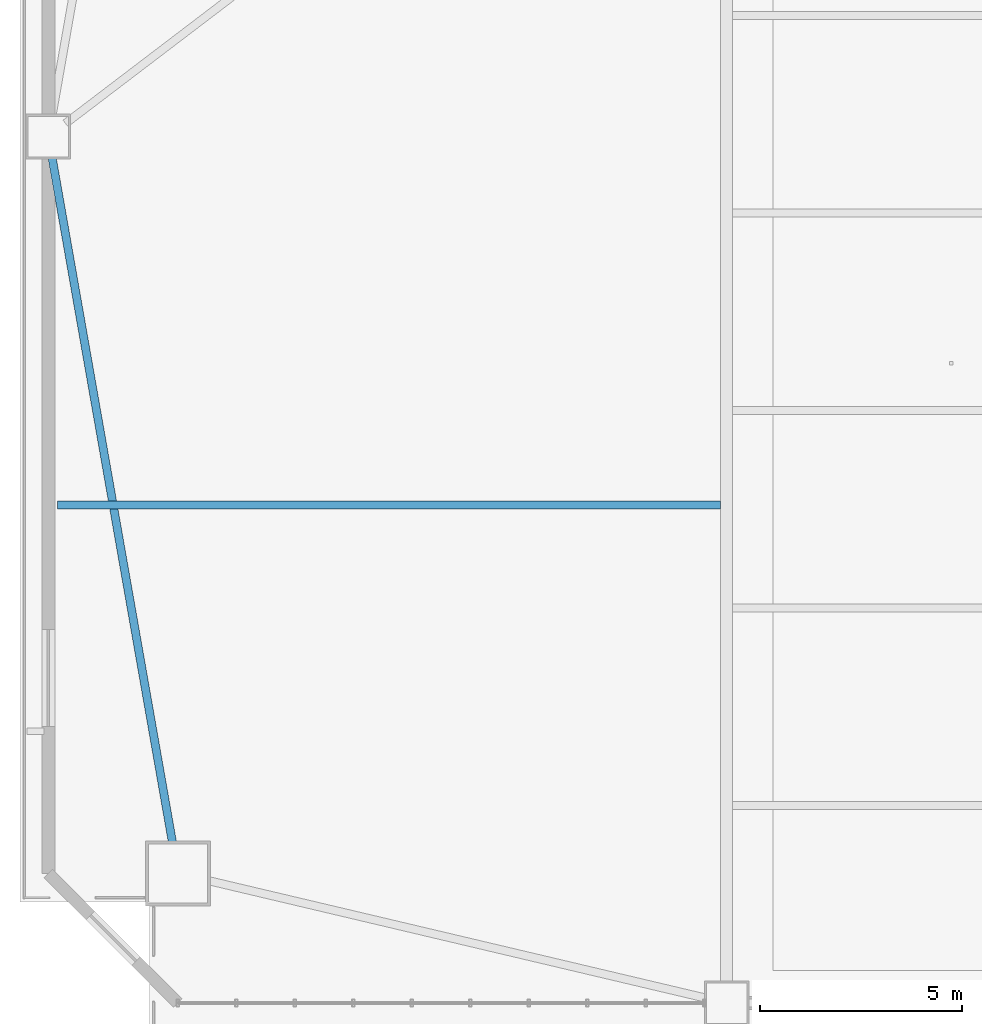
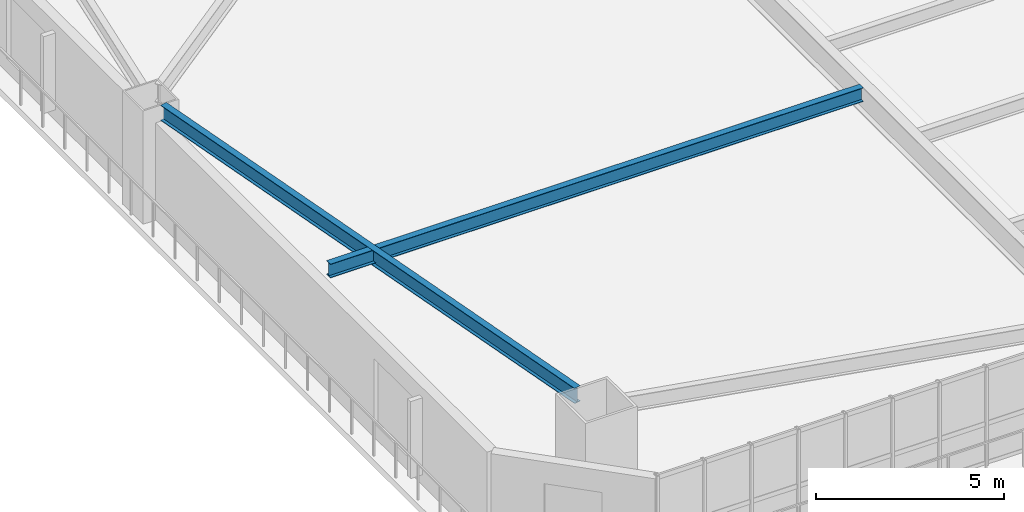
# One storey, part 3 of 17: 2 beams.
"""IFC4 building model written with IfcOpenShell, lengths in metres."""

from ifc_helpers import new_model, si_unit, direction, frame, origin, origin_2d, place, context, subcontext, project, spatial, i_section, extrude, source, transform, mapped, material, material_profile, profile_set, type_object, element, save


model = new_model("IFC4")

# Units and contexts
model_context = context("Model", 3, precision=1e-05, world=origin(), true_north=direction((0.0, 1.0)))
body_context = subcontext(model_context, "Body", "Model", "MODEL_VIEW")
ifc_project = project(units=[si_unit("LENGTHUNIT", "METRE"), si_unit("AREAUNIT", "SQUARE_METRE"), si_unit("VOLUMEUNIT", "CUBIC_METRE"), si_unit("PLANEANGLEUNIT", "RADIAN"), si_unit("MASSUNIT", "GRAM", prefix="KILO")], contexts=[model_context])

# Site, building, storey
site_placement = place(None, origin())
site = spatial("IfcSite", under=ifc_project, at=site_placement, CompositionType="ELEMENT")
building_placement = place(site_placement, origin())
building = spatial("IfcBuilding", under=site, at=building_placement, Name="Giltprow Tower", CompositionType="ELEMENT")
storey_placement = place(building_placement, frame((0.0, 0.0, 25.39990234375)))
storey = spatial("IfcBuildingStorey", under=building, at=storey_placement, Name="L06", CompositionType="ELEMENT", Elevation=25.39990234375)

# Beams
ifc_material = material(Name="Structural steel Q355B", Category="steel")
ifc_material_profile_1 = material_profile(ifc_material, i_section(OverallWidth=0.199951171875, OverallDepth=0.5, WebThickness=0.010009765625, FlangeThickness=0.01611328125, at=origin_2d()), Name="HN 500x200x10x16")
ifc_profile_set_1 = profile_set([ifc_material_profile_1], Name="Structural steel Q355B")
beam_type_1 = type_object("IfcBeamType", Name="BM-SPAN-HN500", PredefinedType="SPANDREL", material=ifc_profile_set_1)
shared_shape_1 = source(origin(), body_context, "Body", "SweptSolid", [
    extrude(i_section(OverallWidth=0.199951171875, OverallDepth=0.5, WebThickness=0.010009765625, FlangeThickness=0.01611328125, at=origin_2d()), origin(), (0.0, 0.0, 1.0), 17.1591796875),
])
beam_1_placement = place(storey_placement, frame((3.193115234375, 24.173095703125, 3.43017578125), z_axis=(0.173139216532, -0.984897360997, 0.0), x_axis=(0.984897360997, 0.173139216532, 0.0)))
element("IfcBeam", 1, at=beam_1_placement, inside=storey, type_object=beam_type_1, Name="L06 Perimeter Spandrel Beam W_MID-MC_SW", PredefinedType="SPANDREL", context=body_context, shape_type="MappedRepresentation", body=[
    mapped(shared_shape_1, transform((0.0, 0.0, 0.0), x_axis=(1.0, 0.0, 0.0), y_axis=(0.0, 1.0, 0.0), z_axis=(0.0, 0.0, 1.0), scale=1.0)),
])
ifc_material_profile_2 = material_profile(ifc_material, i_section(OverallWidth=0.199951171875, OverallDepth=0.449951171875, WebThickness=0.009033203125, FlangeThickness=0.013916015625, at=origin_2d()), Name="HN 450x200x9x14")
ifc_profile_set_2 = profile_set([ifc_material_profile_2], Name="Structural steel Q355B")
beam_type_2 = type_object("IfcBeamType", Name="BM-JOIST-HN450", PredefinedType="JOIST", material=ifc_profile_set_2)
shared_shape_2 = source(origin(), body_context, "Body", "SweptSolid", [
    extrude(i_section(OverallWidth=0.199951171875, OverallDepth=0.449951171875, WebThickness=0.009033203125, FlangeThickness=0.013916015625, at=origin_2d()), origin(), (0.0, 0.0, 1.0), 16.385009765625),
])
beam_2_placement = place(storey_placement, frame((3.320068359375, 15.60009765625, 3.455078125), z_axis=(1.0, 0.0, 0.0), x_axis=(0.0, 1.0, 0.0)))
element("IfcBeam", 2, at=beam_2_placement, inside=storey, type_object=beam_type_2, Name="L06 West Wing Floor Joist 1", PredefinedType="JOIST", context=body_context, shape_type="MappedRepresentation", body=[
    mapped(shared_shape_2, transform((0.0, 0.0, 0.0), x_axis=(1.0, 0.0, 0.0), y_axis=(0.0, 1.0, 0.0), z_axis=(0.0, 0.0, 1.0), scale=1.0)),
])

save(model, "model.ifc")
